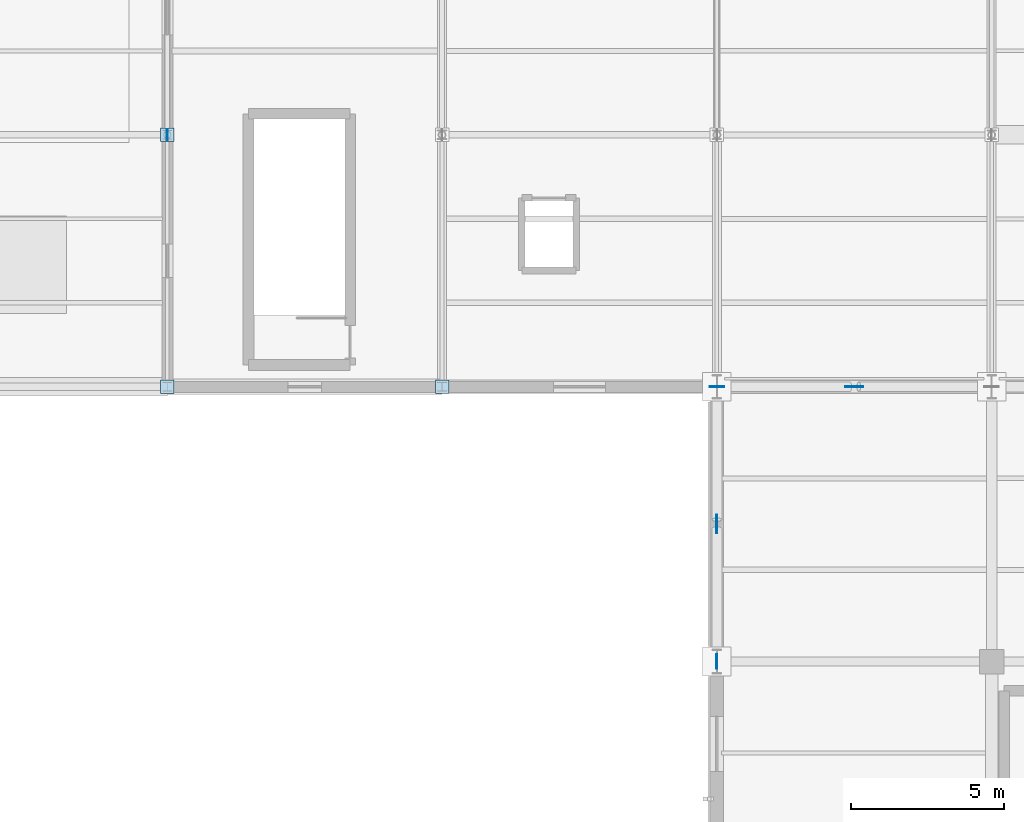
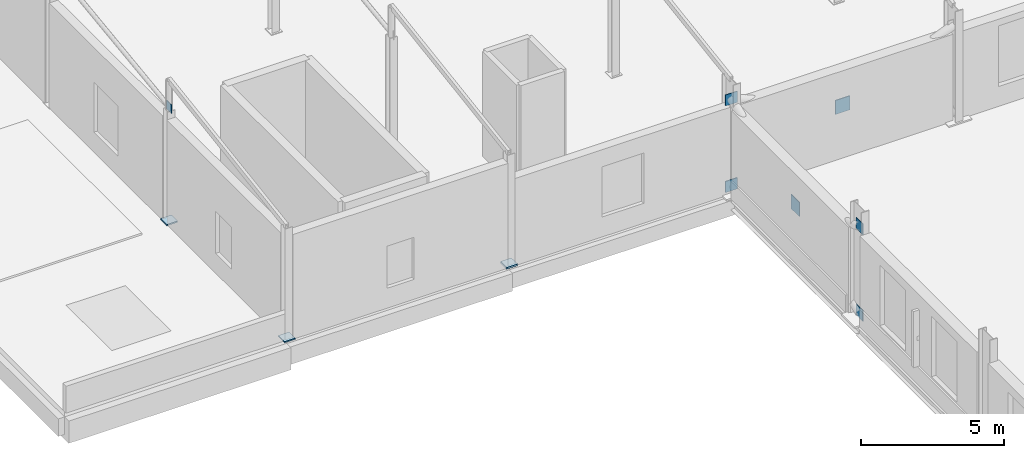
# One storey, part 26 of 54: 10 plates.
"""IFC4 building model written with IfcOpenShell, lengths in metres."""

from ifc_helpers import new_model, si_unit, direction, frame, origin, origin_2d, place, context, subcontext, project, spatial, rectangle, extrude, material, layer, layer_set, type_object, element, save


model = new_model("IFC4")

# Units and contexts
model_context = context("Model", 3, precision=1e-05, world=origin(), true_north=direction((0.0, 1.0)))
body_context = subcontext(model_context, "Body", "Model", "MODEL_VIEW")
ifc_project = project(units=[si_unit("LENGTHUNIT", "METRE"), si_unit("AREAUNIT", "SQUARE_METRE"), si_unit("VOLUMEUNIT", "CUBIC_METRE"), si_unit("PLANEANGLEUNIT", "RADIAN"), si_unit("MASSUNIT", "GRAM", prefix="KILO")], contexts=[model_context])

# Site, building, storey
site_placement = place(None, origin())
site = spatial("IfcSite", under=ifc_project, at=site_placement, CompositionType="ELEMENT")
building_placement = place(site_placement, origin())
building = spatial("IfcBuilding", under=site, at=building_placement, Name="Sundgate Opera House", CompositionType="ELEMENT")
storey_placement = place(building_placement, frame((0.0, 0.0, 16.800048828125)))
storey = spatial("IfcBuildingStorey", under=building, at=storey_placement, Name="L03", CompositionType="ELEMENT", Elevation=16.800048828125)

# Plates
ifc_material_1 = material(Name="Steel S355J2", Category="steel")
ifc_layer_1 = layer(ifc_material_1, 0.050048828125)
ifc_layer_set_1 = layer_set([ifc_layer_1], Name="Steel S355J2")
plate_type_1 = type_object("IfcPlateType", Name="PT-BAS-50", PredefinedType="USERDEFINED", material=ifc_layer_set_1)
plate_1_placement = place(storey_placement, frame((9.0, 87.0, 0.0), z_axis=(0.0, 0.0, 1.0), x_axis=(1.0, 0.0, 0.0)))
element("IfcPlate", 1, at=plate_1_placement, inside=storey, type_object=plate_type_1, Name="L03 Base Plate PT0001", ObjectType="BASE PLATE", PredefinedType="USERDEFINED", context=body_context, shape_type="SweptSolid", body=[
    extrude(rectangle(XDim=0.43994140625, YDim=0.43994140625, at=origin_2d()), origin(), (0.0, 0.0, 1.0), 0.050048828125),
])
ifc_material_2 = material(Name="Steel S355J2", Category="steel")
ifc_layer_2 = layer(ifc_material_2, 0.06201171875)
ifc_layer_set_2 = layer_set([ifc_layer_2], Name="Steel S355J2")
plate_type_2 = type_object("IfcPlateType", Name="PT-BAS-62", PredefinedType="USERDEFINED", material=ifc_layer_set_2)
plate_2_placement = place(storey_placement, frame((9.0, 95.25, 0.0), z_axis=(0.0, 0.0, 1.0), x_axis=(1.0, 0.0, 0.0)))
element("IfcPlate", 2, at=plate_2_placement, inside=storey, type_object=plate_type_2, Name="L03 Base Plate PT0002", ObjectType="BASE PLATE", PredefinedType="USERDEFINED", context=body_context, shape_type="SweptSolid", body=[
    extrude(rectangle(XDim=0.43994140625, YDim=0.43994140625, at=origin_2d()), origin(), (0.0, 0.0, 1.0), 0.06201171875),
])
ifc_material_3 = material(Name="Steel S355J2", Category="steel")
ifc_layer_3 = layer(ifc_material_3, 0.068115234375)
ifc_layer_set_3 = layer_set([ifc_layer_3], Name="Steel S355J2")
plate_type_3 = type_object("IfcPlateType", Name="PT-BAS-68", PredefinedType="USERDEFINED", material=ifc_layer_set_3)
plate_3_placement = place(storey_placement, frame((18.0, 87.0, 0.0), z_axis=(0.0, 0.0, 1.0), x_axis=(1.0, 0.0, 0.0)))
element("IfcPlate", 3, at=plate_3_placement, inside=storey, type_object=plate_type_3, Name="L03 Base Plate PT0005", ObjectType="BASE PLATE", PredefinedType="USERDEFINED", context=body_context, shape_type="SweptSolid", body=[
    extrude(rectangle(XDim=0.43994140625, YDim=0.43994140625, at=origin_2d()), origin(), (0.0, 0.0, 1.0), 0.068115234375),
])
ifc_material_4 = material(Name="Steel S355J2", Category="steel")
ifc_layer_4 = layer(ifc_material_4, 0.02001953125)
ifc_layer_set_4 = layer_set([ifc_layer_4], Name="Steel S355J2")
plate_type_4 = type_object("IfcPlateType", Name="PT-GUS-20", PredefinedType="USERDEFINED", material=ifc_layer_set_4)
plate_4_placement = place(storey_placement, frame((9.0, 95.25, 4.7197265625), z_axis=(0.0, 0.0, 1.0), x_axis=(1.0, 0.0, 0.0)))
element("IfcPlate", 4, at=plate_4_placement, inside=storey, type_object=plate_type_4, Name="L03 Atelier Brace Base Gusset", ObjectType="GUSSET PLATE", PredefinedType="USERDEFINED", context=body_context, shape_type="SweptSolid", body=[
    extrude(rectangle(XDim=0.02001953125, YDim=0.360107421875, at=origin_2d()), origin(), (0.0, 0.0, 1.0), 0.360107421875),
])
ifc_material_5 = material(Name="Steel S355J2", Category="steel")
ifc_layer_5 = layer(ifc_material_5, 0.028076171875)
ifc_layer_set_5 = layer_set([ifc_layer_5], Name="Steel S355J2")
plate_type_5 = type_object("IfcPlateType", Name="PT-GUS-28", PredefinedType="USERDEFINED", material=ifc_layer_set_5)
for number, where, z_axis, x_axis, name in (
    (5, (27.0, 87.0, 0.010009765625), (0.0, 0.0, 1.0), (1.0, 0.0, 0.0), "L03 Belt-Truss End Gusset"),
    (6, (27.0, 87.0, 3.7099609375), (0.0, 0.0, 1.0), (1.0, 0.0, 0.0), "L03 Belt-Truss End Gusset"),
):
    element("IfcPlate", number, at=place(storey_placement, frame(where, z_axis=z_axis, x_axis=x_axis)), inside=storey, type_object=plate_type_5, Name=name, ObjectType="GUSSET PLATE", PredefinedType="USERDEFINED", context=body_context, shape_type="SweptSolid", body=[
        extrude(rectangle(XDim=0.47998046875, YDim=0.028076171875, at=origin_2d()), origin(), (0.0, 0.0, 1.0), 0.47998046875),
    ])
for number, where, z_axis, x_axis, name in (
    (7, (27.0, 78.0, 0.010009765625), (0.0, 0.0, 1.0), (1.0, 0.0, 0.0), "L03 Belt-Truss End Gusset"),
    (8, (27.0, 78.0, 3.7099609375), (0.0, 0.0, 1.0), (1.0, 0.0, 0.0), "L03 Belt-Truss End Gusset"),
):
    element("IfcPlate", number, at=place(storey_placement, frame(where, z_axis=z_axis, x_axis=x_axis)), inside=storey, type_object=plate_type_5, Name=name, ObjectType="GUSSET PLATE", PredefinedType="USERDEFINED", context=body_context, shape_type="SweptSolid", body=[
        extrude(rectangle(XDim=0.028076171875, YDim=0.47998046875, at=origin_2d()), origin(), (0.0, 0.0, 1.0), 0.47998046875),
    ])
ifc_material_6 = material(Name="Steel S355J2", Category="steel")
ifc_layer_6 = layer(ifc_material_6, 0.031982421875)
ifc_layer_set_6 = layer_set([ifc_layer_6], Name="Steel S355J2")
plate_type_6 = type_object("IfcPlateType", Name="PT-GUS-32", PredefinedType="USERDEFINED", material=ifc_layer_set_6)
plate_5_placement = place(storey_placement, frame((31.5, 87.0, 1.7998046875), z_axis=(0.0, 0.0, 1.0), x_axis=(1.0, 0.0, 0.0)))
element("IfcPlate", 9, at=plate_5_placement, inside=storey, type_object=plate_type_6, Name="L03 Belt-Truss Central Crossing Gusset", ObjectType="GUSSET PLATE", PredefinedType="USERDEFINED", context=body_context, shape_type="SweptSolid", body=[
    extrude(rectangle(XDim=0.60009765625, YDim=0.031982421875, at=origin_2d()), origin(), (0.0, 0.0, 1.0), 0.60009765625),
])
plate_6_placement = place(storey_placement, frame((27.0, 82.5, 1.7998046875), z_axis=(0.0, 0.0, 1.0), x_axis=(1.0, 0.0, 0.0)))
element("IfcPlate", 10, at=plate_6_placement, inside=storey, type_object=plate_type_6, Name="L03 Belt-Truss Central Crossing Gusset", ObjectType="GUSSET PLATE", PredefinedType="USERDEFINED", context=body_context, shape_type="SweptSolid", body=[
    extrude(rectangle(XDim=0.031982421875, YDim=0.60009765625, at=origin_2d()), origin(), (0.0, 0.0, 1.0), 0.60009765625),
])

save(model, "model.ifc")
